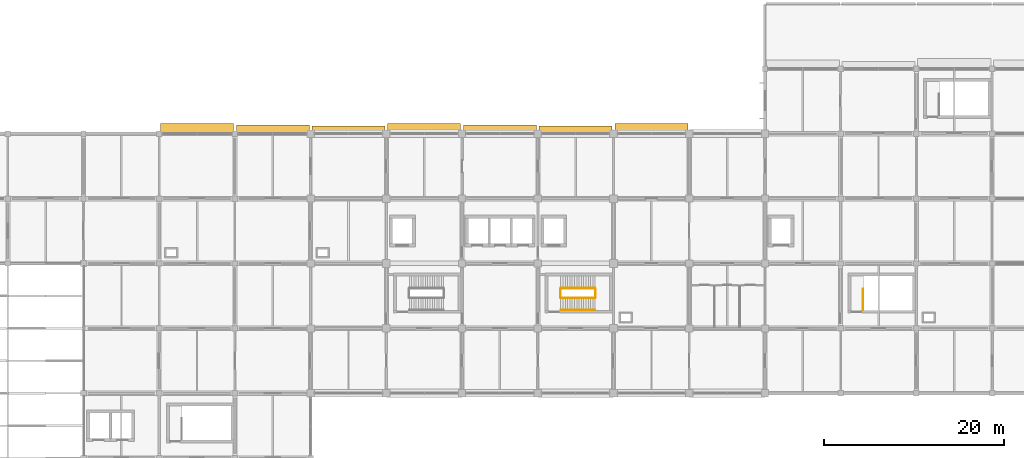
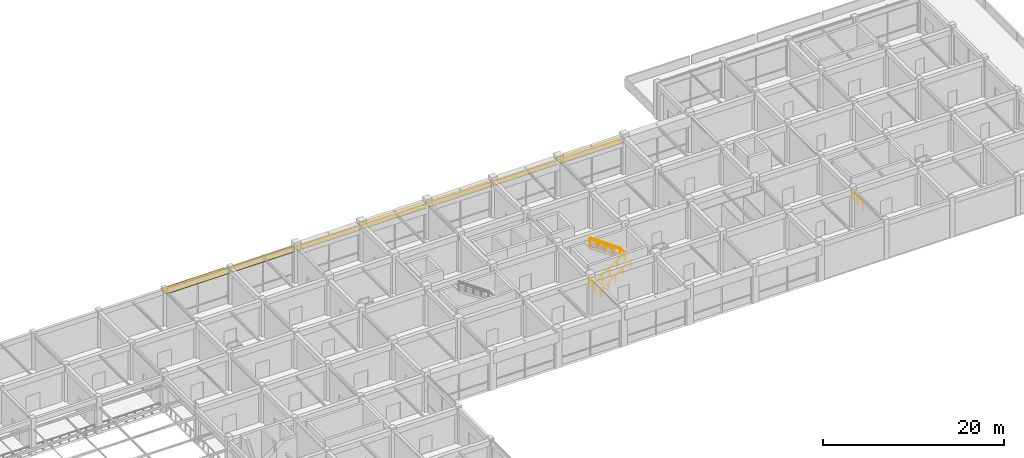
# One storey, part 37 of 38: 7 railings, 7 shading devices.
"""IFC4 building model written with IfcOpenShell, lengths in metres."""

from ifc_helpers import new_model, si_unit, derived_unit, direction, frame, origin, origin_2d, place, context, subcontext, project, spatial, rectangle, circle, extrude, material, layer, layer_set, type_object, element, save


model = new_model("IFC4")

# Units and contexts
model_context = context("Model", 3, precision=1e-05, world=origin(), true_north=direction((0.0, 1.0)))
body_context = subcontext(model_context, "Body", "Model", "MODEL_VIEW")
ifc_project = project(units=[si_unit("LENGTHUNIT", "METRE"), si_unit("AREAUNIT", "SQUARE_METRE"), si_unit("VOLUMEUNIT", "CUBIC_METRE"), si_unit("PLANEANGLEUNIT", "RADIAN"), si_unit("MASSUNIT", "GRAM", prefix="KILO"), derived_unit("THERMALTRANSMITTANCEUNIT", [(si_unit("MASSUNIT", "GRAM", prefix="KILO"), 1), (si_unit("TIMEUNIT", "SECOND"), -3), (si_unit("THERMODYNAMICTEMPERATUREUNIT", "KELVIN"), -1)])], contexts=[model_context])

# Site, building, storey
site_placement = place(None, origin())
site = spatial("IfcSite", under=ifc_project, at=site_placement, CompositionType="ELEMENT")
building_placement = place(site_placement, origin())
building = spatial("IfcBuilding", under=site, at=building_placement, Name="Veldstrom Oceanarium and Marine Research Institute", CompositionType="ELEMENT")
storey_placement = place(building_placement, frame((0.0, 0.0, 16.800048828125)))
storey = spatial("IfcBuildingStorey", under=building, at=storey_placement, Name="L03", CompositionType="ELEMENT", Elevation=16.800048828125)

# Railings
ifc_material_1 = material(Name="Duplex Stainless Steel Balustrade", Category="steel")
ifc_layer_1 = layer(ifc_material_1, 0.06005859375)
ifc_layer_set_1 = layer_set([ifc_layer_1], Name="ARC-RLG-GR1")
railing_type_1 = type_object("IfcRailingType", Name="ARC-RLG-GR1", PredefinedType="GUARDRAIL", material=ifc_layer_set_1)
railing_1_placement = place(storey_placement, frame((94.89990234375, 53.800048828125, 0.0)))
element("IfcRailing", 1, at=railing_1_placement, inside=storey, type_object=railing_type_1, Name="Stair Well Landing Guard ST2 L03", PredefinedType="GUARDRAIL", context=body_context, shape_type="SweptSolid", body=[
    extrude(circle(Radius=0.02392578125, at=origin_2d()), frame((0.0, 0.0, 1.09619140625), z_axis=(0.0, 1.0, 0.0), x_axis=(-1.0, 0.0, 0.0)), (0.0, 0.0, 1.0), 1.0),
    extrude(circle(Radius=0.02099609375, at=origin_2d()), origin(), (0.0, 0.0, 1.0), 1.072021484375),
    extrude(circle(Radius=0.02099609375, at=origin_2d()), frame((0.0, 1.0, 0.0)), (0.0, 0.0, 1.0), 1.072021484375),
])
railing_2_placement = place(storey_placement, frame((94.93994140625, 53.760009765625, 0.0)))
element("IfcRailing", 2, at=railing_2_placement, inside=storey, type_object=railing_type_1, Name="Stair Flight Guardrail ST2-L03-1", PredefinedType="GUARDRAIL", context=body_context, shape_type="SweptSolid", body=[
    extrude(circle(Radius=0.02392578125, at=origin_2d()), frame((0.0, 0.0, 1.09619140625), z_axis=(0.816969308413, 0.0, 0.5766811503), x_axis=(0.0, 1.0, 0.0)), (0.0, 0.0, 1.0), 4.681884765625),
    extrude(circle(Radius=0.02099609375, at=origin_2d()), origin(), (0.0, 0.0, 1.0), 1.072021484375),
    extrude(circle(Radius=0.02099609375, at=origin_2d()), frame((0.956298828125, 0.0, 0.675048828125)), (0.0, 0.0, 1.0), 1.072021484375),
    extrude(circle(Radius=0.02099609375, at=origin_2d()), frame((1.91259765625, 0.0, 1.35009765625)), (0.0, 0.0, 1.0), 1.072021484375),
    extrude(circle(Radius=0.02099609375, at=origin_2d()), frame((2.86865234375, 0.0, 2.02490234375)), (0.0, 0.0, 1.0), 1.072021484375),
    extrude(circle(Radius=0.02099609375, at=origin_2d()), frame((3.824951171875, 0.0, 2.699951171875)), (0.0, 0.0, 1.0), 1.072021484375),
])
railing_3_placement = place(storey_placement, frame((98.804931640625, 53.800048828125, 2.699951171875)))
element("IfcRailing", 3, at=railing_3_placement, inside=storey, type_object=railing_type_1, Name="Stair Half-Landing Guardrail ST2-L03", PredefinedType="GUARDRAIL", context=body_context, shape_type="SweptSolid", body=[
    extrude(circle(Radius=0.02392578125, at=origin_2d()), frame((0.0, 0.0, 1.09619140625), z_axis=(0.0, 1.0, 0.0), x_axis=(-1.0, 0.0, 0.0)), (0.0, 0.0, 1.0), 1.0),
    extrude(circle(Radius=0.02099609375, at=origin_2d()), origin(), (0.0, 0.0, 1.0), 1.072021484375),
    extrude(circle(Radius=0.02099609375, at=origin_2d()), frame((0.0, 1.0, 0.0)), (0.0, 0.0, 1.0), 1.072021484375),
])
railing_4_placement = place(storey_placement, frame((98.764892578125, 54.840087890625, 2.699951171875)))
element("IfcRailing", 4, at=railing_4_placement, inside=storey, type_object=railing_type_1, Name="Stair Flight Guardrail ST2-L03-2", PredefinedType="GUARDRAIL", context=body_context, shape_type="SweptSolid", body=[
    extrude(circle(Radius=0.02392578125, at=origin_2d()), frame((0.0, 0.0, 1.09619140625), z_axis=(-0.816969308413, 0.0, 0.5766811503), x_axis=(0.0, -1.0, 0.0)), (0.0, 0.0, 1.0), 4.681884765625),
    extrude(circle(Radius=0.02099609375, at=origin_2d()), origin(), (0.0, 0.0, 1.0), 1.072021484375),
    extrude(circle(Radius=0.02099609375, at=origin_2d()), frame((-0.956298828125, 0.0, 0.675048828125)), (0.0, 0.0, 1.0), 1.072021484375),
    extrude(circle(Radius=0.02099609375, at=origin_2d()), frame((-1.91259765625, 0.0, 1.35009765625)), (0.0, 0.0, 1.0), 1.072021484375),
    extrude(circle(Radius=0.02099609375, at=origin_2d()), frame((-2.86865234375, 0.0, 2.02490234375)), (0.0, 0.0, 1.0), 1.072021484375),
    extrude(circle(Radius=0.02099609375, at=origin_2d()), frame((-3.824951171875, 0.0, 2.699951171875)), (0.0, 0.0, 1.0), 1.072021484375),
])
railing_5_placement = place(storey_placement, frame((128.5, 52.449951171875, 0.0)))
element("IfcRailing", 5, at=railing_5_placement, inside=storey, type_object=railing_type_1, Name="Stair Well Landing Guard ST4 L03", PredefinedType="GUARDRAIL", context=body_context, shape_type="SweptSolid", body=[
    extrude(circle(Radius=0.02392578125, at=origin_2d()), frame((0.0, 0.0, 1.09619140625), z_axis=(0.0, 1.0, 0.0), x_axis=(-1.0, 0.0, 0.0)), (0.0, 0.0, 1.0), 2.35009765625),
    extrude(circle(Radius=0.02099609375, at=origin_2d()), origin(), (0.0, 0.0, 1.0), 1.072021484375),
    extrude(circle(Radius=0.02099609375, at=origin_2d()), frame((0.0, 1.175048828125, 0.0)), (0.0, 0.0, 1.0), 1.072021484375),
    extrude(circle(Radius=0.02099609375, at=origin_2d()), frame((0.0, 2.35009765625, 0.0)), (0.0, 0.0, 1.0), 1.072021484375),
])
ifc_material_2 = material(Name="Brushed Stainless Steel Handrail", Category="steel")
ifc_layer_2 = layer(ifc_material_2, 0.050048828125)
ifc_layer_set_2 = layer_set([ifc_layer_2], Name="ARC-RLG-HR1")
railing_type_2 = type_object("IfcRailingType", Name="ARC-RLG-HR1", PredefinedType="HANDRAIL", material=ifc_layer_set_2)
railing_6_placement = place(storey_placement, frame((94.93994140625, 52.4599609375, 0.0)))
element("IfcRailing", 6, at=railing_6_placement, inside=storey, type_object=railing_type_2, Name="Stair Wall Handrail ST2-L03-1", PredefinedType="HANDRAIL", context=body_context, shape_type="SweptSolid", body=[
    extrude(circle(Radius=0.02392578125, at=origin_2d()), frame((0.0, 0.0, 0.8759765625), z_axis=(0.816969308413, 0.0, 0.5766811503), x_axis=(0.0, 1.0, 0.0)), (0.0, 0.0, 1.0), 4.681884765625),
    extrude(circle(Radius=0.02099609375, at=origin_2d()), origin(), (0.0, 0.0, 1.0), 0.851806640625),
    extrude(circle(Radius=0.02099609375, at=origin_2d()), frame((0.956298828125, 0.0, 0.675048828125)), (0.0, 0.0, 1.0), 0.851806640625),
    extrude(circle(Radius=0.02099609375, at=origin_2d()), frame((1.91259765625, 0.0, 1.35009765625)), (0.0, 0.0, 1.0), 0.851806640625),
    extrude(circle(Radius=0.02099609375, at=origin_2d()), frame((2.86865234375, 0.0, 2.02490234375)), (0.0, 0.0, 1.0), 0.851806640625),
    extrude(circle(Radius=0.02099609375, at=origin_2d()), frame((3.824951171875, 0.0, 2.699951171875)), (0.0, 0.0, 1.0), 0.851806640625),
])
railing_7_placement = place(storey_placement, frame((98.764892578125, 54.860107421875, 2.699951171875)))
element("IfcRailing", 7, at=railing_7_placement, inside=storey, type_object=railing_type_2, Name="Stair Wall Handrail ST2-L03-2", PredefinedType="HANDRAIL", context=body_context, shape_type="SweptSolid", body=[
    extrude(circle(Radius=0.02392578125, at=origin_2d()), frame((0.0, 0.0, 0.8759765625), z_axis=(-0.816969308413, 0.0, 0.5766811503), x_axis=(0.0, -1.0, 0.0)), (0.0, 0.0, 1.0), 4.681884765625),
    extrude(circle(Radius=0.02099609375, at=origin_2d()), origin(), (0.0, 0.0, 1.0), 0.851806640625),
    extrude(circle(Radius=0.02099609375, at=origin_2d()), frame((-0.956298828125, 0.0, 0.675048828125)), (0.0, 0.0, 1.0), 0.851806640625),
    extrude(circle(Radius=0.02099609375, at=origin_2d()), frame((-1.91259765625, 0.0, 1.35009765625)), (0.0, 0.0, 1.0), 0.851806640625),
    extrude(circle(Radius=0.02099609375, at=origin_2d()), frame((-2.86865234375, 0.0, 2.02490234375)), (0.0, 0.0, 1.0), 0.851806640625),
    extrude(circle(Radius=0.02099609375, at=origin_2d()), frame((-3.824951171875, 0.0, 2.699951171875)), (0.0, 0.0, 1.0), 0.851806640625),
])

# Shading devices
ifc_material_3 = material(Name="Perforated Anodised Aluminium Louvre", Category="aluminium")
ifc_layer_3 = layer(ifc_material_3, 0.054931640625)
ifc_layer_set_3 = layer_set([ifc_layer_3], Name="ARC-SHD-SH01")
shading_device_type_1 = type_object("IfcShadingDeviceType", Name="ARC-SHD-SH01", PredefinedType="AWNING", material=ifc_layer_set_3)
for number, where, z_axis, x_axis, name in (
    (8, (54.60009765625, 72.5048828125, 4.0498046875), (0.0, 0.0, 1.0), (1.0, 0.0, 0.0), "North Solar Canopy Louvre L03-7"),
    (9, (79.800048828125, 72.5048828125, 4.0498046875), (0.0, 0.0, 1.0), (1.0, 0.0, 0.0), "North Solar Canopy Louvre L03-10"),
    (10, (105.0, 72.5048828125, 4.0498046875), (0.0, 0.0, 1.0), (1.0, 0.0, 0.0), "North Solar Canopy Louvre L03-13"),
):
    element("IfcShadingDevice", number, at=place(storey_placement, frame(where, z_axis=z_axis, x_axis=x_axis)), inside=storey, type_object=shading_device_type_1, Name=name, PredefinedType="AWNING", context=body_context, shape_type="SweptSolid", body=[
        extrude(rectangle(XDim=8.10009765625, YDim=1.25, at=origin_2d()), origin(), (0.0, 0.0, 1.0), 0.054931640625),
    ])
ifc_material_4 = material(Name="Perforated Anodised Aluminium Louvre", Category="aluminium")
ifc_layer_4 = layer(ifc_material_4, 0.050048828125)
ifc_layer_set_4 = layer_set([ifc_layer_4], Name="ARC-SHD-SH02")
shading_device_type_2 = type_object("IfcShadingDeviceType", Name="ARC-SHD-SH02", PredefinedType="AWNING", material=ifc_layer_set_4)
for number, where, z_axis, x_axis, name in (
    (11, (63.0, 72.429931640625, 4.0498046875), (0.0, 0.0, 1.0), (1.0, 0.0, 0.0), "North Solar Canopy Louvre L03-8"),
    (12, (88.199951171875, 72.429931640625, 4.0498046875), (0.0, 0.0, 1.0), (1.0, 0.0, 0.0), "North Solar Canopy Louvre L03-11"),
):
    element("IfcShadingDevice", number, at=place(storey_placement, frame(where, z_axis=z_axis, x_axis=x_axis)), inside=storey, type_object=shading_device_type_2, Name=name, PredefinedType="AWNING", context=body_context, shape_type="SweptSolid", body=[
        extrude(rectangle(XDim=8.10009765625, YDim=1.10009765625, at=origin_2d()), origin(), (0.0, 0.0, 1.0), 0.050048828125),
    ])
ifc_material_5 = material(Name="Perforated Anodised Aluminium Louvre", Category="aluminium")
ifc_layer_5 = layer(ifc_material_5, 0.044921875)
ifc_layer_set_5 = layer_set([ifc_layer_5], Name="ARC-SHD-SH03")
shading_device_type_3 = type_object("IfcShadingDeviceType", Name="ARC-SHD-SH03", PredefinedType="AWNING", material=ifc_layer_set_5)
for number, where, z_axis, x_axis, name in (
    (13, (71.39990234375, 72.35498046875, 4.050048828125), (0.0, 0.0, 1.0), (1.0, 0.0, 0.0), "North Solar Canopy Louvre L03-9"),
    (14, (96.60009765625, 72.35498046875, 4.050048828125), (0.0, 0.0, 1.0), (1.0, 0.0, 0.0), "North Solar Canopy Louvre L03-12"),
):
    element("IfcShadingDevice", number, at=place(storey_placement, frame(where, z_axis=z_axis, x_axis=x_axis)), inside=storey, type_object=shading_device_type_3, Name=name, PredefinedType="AWNING", context=body_context, shape_type="SweptSolid", body=[
        extrude(rectangle(XDim=8.10009765625, YDim=0.949951171875, at=origin_2d()), origin(), (0.0, 0.0, 1.0), 0.044921875),
    ])

save(model, "model.ifc")
